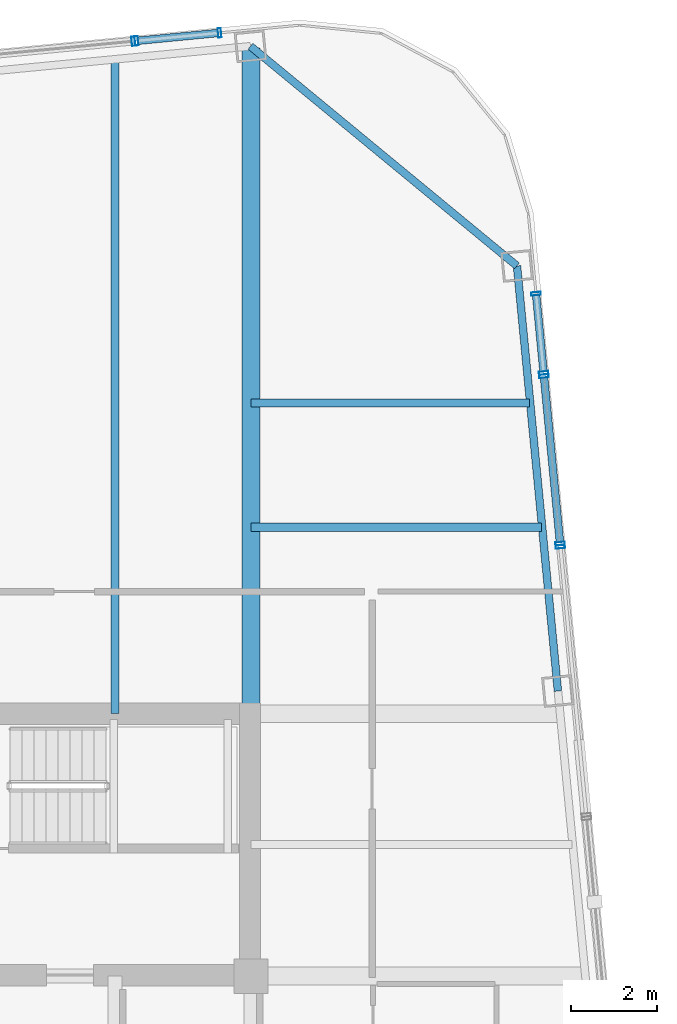
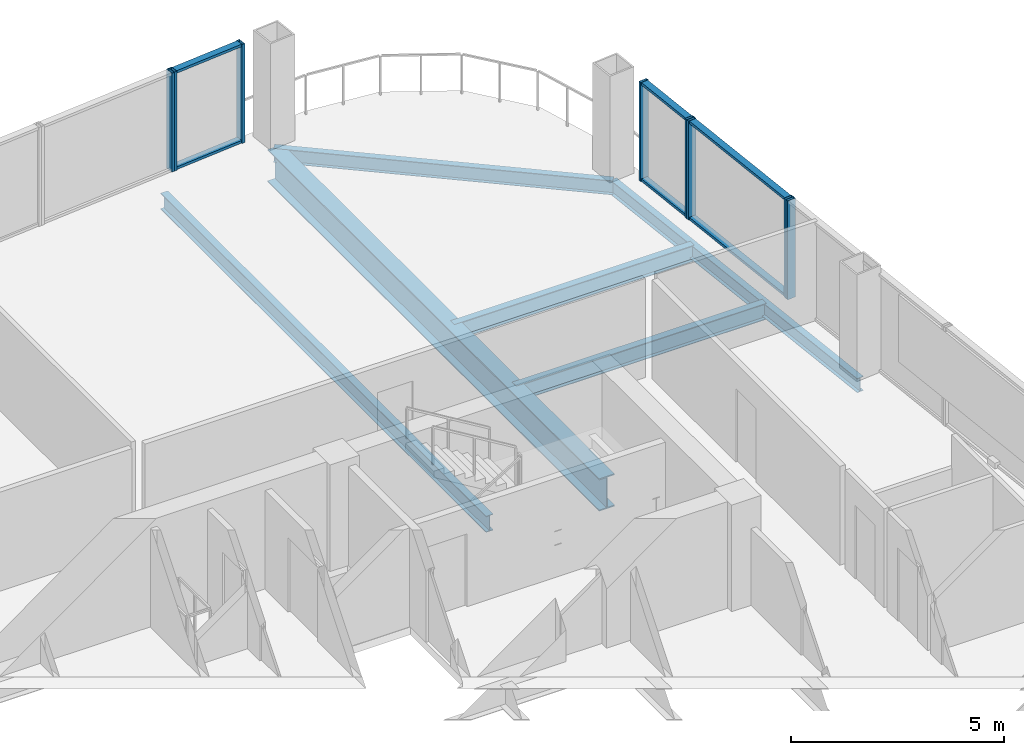
# One storey, part 15 of 21: 14 members, 6 beams, 5 elements without a shape of their own.
"""IFC4 building model written with IfcOpenShell, lengths in metres."""

from ifc_helpers import new_model, si_unit, direction, frame, origin, origin_2d, place, context, subcontext, project, spatial, hollow_rectangle, i_section, extrude, material, layer, layer_set, material_profile, profile_set, type_object, element, aggregate, save


model = new_model("IFC4")

# Units and contexts
model_context = context("Model", 3, precision=1e-05, world=origin(), true_north=direction((0.0, 1.0)))
body_context = subcontext(model_context, "Body", "Model", "MODEL_VIEW")
ifc_project = project(units=[si_unit("LENGTHUNIT", "METRE"), si_unit("AREAUNIT", "SQUARE_METRE"), si_unit("VOLUMEUNIT", "CUBIC_METRE"), si_unit("PLANEANGLEUNIT", "RADIAN"), si_unit("MASSUNIT", "GRAM", prefix="KILO")], contexts=[model_context])

# Site, building, storey
site_placement = place(None, origin())
site = spatial("IfcSite", under=ifc_project, at=site_placement, CompositionType="ELEMENT")
building_placement = place(site_placement, origin())
building = spatial("IfcBuilding", under=site, at=building_placement, Name="Qhalaya Broadcast Tower", CompositionType="ELEMENT")
storey_placement = place(building_placement, frame((0.0, 0.0, 162.25)))
storey = spatial("IfcBuildingStorey", under=building, at=storey_placement, Name="L47", CompositionType="ELEMENT", Elevation=162.25)

# Beams
ifc_material_1 = material(Name="Structural Steel ASTM A992 Grade 50", Category="steel")
ifc_material_profile_1 = material_profile(ifc_material_1, i_section(OverallWidth=0.19189453125, OverallDepth=0.462890625, WebThickness=0.010498046875, FlangeThickness=0.017578125, at=origin_2d()), Name="W18X60")
ifc_profile_set_1 = profile_set([ifc_material_profile_1], Name="Structural Steel ASTM A992 Grade 50")
beam_type_1 = type_object("IfcBeamType", Name="Composite Floor Joist J03", PredefinedType="JOIST", material=ifc_profile_set_1)
beam_1_placement = place(storey_placement, frame((6.199951171875, 9.949951171875, -0.451416015625), z_axis=(0.0, 1.0, 0.0), x_axis=(-1.0, 0.0, 0.0)))
element("IfcBeam", 1, at=beam_1_placement, inside=storey, type_object=beam_type_1, Name="L47 J03 L47-JNN5-1", PredefinedType="JOIST", context=body_context, shape_type="SweptSolid", body=[
    extrude(i_section(OverallWidth=0.19189453125, OverallDepth=0.462890625, WebThickness=0.010498046875, FlangeThickness=0.017578125, at=origin_2d()), origin(), (0.0, 0.0, 1.0), 15.25341796875),
])
beam_2_placement = place(storey_placement, frame((9.375, 14.300048828125, -0.451416015625), z_axis=(1.0, 0.0, 0.0), x_axis=(0.0, 1.0, 0.0)))
element("IfcBeam", 2, at=beam_2_placement, inside=storey, type_object=beam_type_1, Name="L47 J03 L47-JWE6E-1", PredefinedType="JOIST", context=body_context, shape_type="SweptSolid", body=[
    extrude(i_section(OverallWidth=0.19189453125, OverallDepth=0.462890625, WebThickness=0.010498046875, FlangeThickness=0.017578125, at=origin_2d()), origin(), (0.0, 0.0, 1.0), 6.7744140625),
])
beam_3_placement = place(storey_placement, frame((9.375, 17.199951171875, -0.451416015625), z_axis=(1.0, 0.0, 0.0), x_axis=(0.0, 1.0, 0.0)))
element("IfcBeam", 3, at=beam_3_placement, inside=storey, type_object=beam_type_1, Name="L47 J03 L47-JWE7E-1", PredefinedType="JOIST", context=body_context, shape_type="SweptSolid", body=[
    extrude(i_section(OverallWidth=0.19189453125, OverallDepth=0.462890625, WebThickness=0.010498046875, FlangeThickness=0.017578125, at=origin_2d()), origin(), (0.0, 0.0, 1.0), 6.4951171875),
])
ifc_material_profile_2 = material_profile(ifc_material_1, i_section(OverallWidth=0.4189453125, OverallDepth=0.927001953125, WebThickness=0.019287109375, FlangeThickness=0.031982421875, at=origin_2d()), Name="W36X231")
ifc_profile_set_2 = profile_set([ifc_material_profile_2], Name="Structural Steel ASTM A992 Grade 50")
beam_type_2 = type_object("IfcBeamType", Name="Mid Block Primary Girder PG3", PredefinedType="USERDEFINED", material=ifc_profile_set_2)
beam_4_placement = place(storey_placement, frame((9.375, 9.949951171875, -0.68359375), z_axis=(0.0, 1.0, 0.0), x_axis=(-1.0, 0.0, 0.0)))
element("IfcBeam", 4, at=beam_4_placement, inside=storey, type_object=beam_type_2, Name="L47 PG3 L47-PGXN2-1", ObjectType="GIRDER", PredefinedType="USERDEFINED", context=body_context, shape_type="SweptSolid", body=[
    extrude(i_section(OverallWidth=0.4189453125, OverallDepth=0.927001953125, WebThickness=0.019287109375, FlangeThickness=0.031982421875, at=origin_2d()), origin(), (0.0, 0.0, 1.0), 15.541259765625),
])

# Curtain wall, member
ifc_material_2 = material(Name="Fired Architectural Terracotta", Category="masonry")
ifc_layer_1 = layer(ifc_material_2, 0.219970703125, Name="Fired Architectural Terracotta")
ifc_layer_set_1 = layer_set([ifc_layer_1], Name="Fired Architectural Terracotta")
curtain_wall_type_1 = type_object("IfcCurtainWallType", Name="Block-Cap Unitised Terracotta Spandrel Wall CW-07", PredefinedType="NOTDEFINED", material=ifc_layer_set_1)
curtain_wall_1_placement = place(storey_placement, origin())
curtain_wall_1 = element("IfcCurtainWall", 5, at=curtain_wall_1_placement, inside=storey, type_object=curtain_wall_type_1, Name="L47 Unitised Curtain Wall L47-CW-E5", PredefinedType="NOTDEFINED")
ifc_material_3 = material(Name="Anodised Aluminium 6063-T6", Category="aluminium")
ifc_material_profile_3 = material_profile(ifc_material_3, hollow_rectangle(XDim=0.074951171875, YDim=0.219970703125, WallThickness=0.00390625, at=origin_2d()), Name="ALU-MUL 75x220x4")
ifc_profile_set_3 = profile_set([ifc_material_profile_3], Name="Anodised Aluminium 6063-T6")
member_type_1 = type_object("IfcMemberType", Name="Unitised Curtain-Wall Mullion M01", PredefinedType="MULLION", material=ifc_profile_set_3)
member_1_placement = place(storey_placement, frame((16.594970703125, 13.845703125, 0.0), z_axis=(0.0, 0.0, 1.0), x_axis=(-0.095853708125, 0.995395432297, 0.0)))
member_1 = element("IfcMember", 6, at=member_1_placement, type_object=member_type_1, Name="CW-07 mullion 2", PredefinedType="MULLION", context=body_context, shape_type="SweptSolid", body=[
    extrude(hollow_rectangle(XDim=0.074951171875, YDim=0.219970703125, WallThickness=0.00390625, at=origin_2d()), origin(), (0.0, 0.0, 1.0), 2.830078125),
])
aggregate(curtain_wall_1, [member_1])

# Curtain wall, members
ifc_material_4 = material(Name="Solar-Control Low-E Triple Glazing", Category="glass")
ifc_layer_2 = layer(ifc_material_4, 0.219970703125, Name="Solar-Control Low-E Triple Glazing")
ifc_layer_set_2 = layer_set([ifc_layer_2], Name="Solar-Control Low-E Triple Glazing")
curtain_wall_type_2 = type_object("IfcCurtainWallType", Name="Even-Block 4-Storey Double-Module Curtain Wall CW-03", PredefinedType="NOTDEFINED", material=ifc_layer_set_2)
curtain_wall_2_placement = place(storey_placement, origin())
curtain_wall_2 = element("IfcCurtainWall", 7, at=curtain_wall_2_placement, inside=storey, type_object=curtain_wall_type_2, Name="L47 Unitised Curtain Wall L47-CW-E6", PredefinedType="NOTDEFINED")
member_2_placement = place(storey_placement, frame((16.587646484375, 13.92041015625, 0.0), z_axis=(0.0, 0.0, 1.0), x_axis=(-0.095825752198, 0.995398123976, 0.0)))
member_2 = element("IfcMember", 8, at=member_2_placement, type_object=member_type_1, Name="CW-03 mullion 1", PredefinedType="MULLION", context=body_context, shape_type="SweptSolid", body=[
    extrude(hollow_rectangle(XDim=0.074951171875, YDim=0.219970703125, WallThickness=0.00390625, at=origin_2d()), origin(), (0.0, 0.0, 1.0), 2.830078125),
])
member_3_placement = place(storey_placement, frame((16.21142578125, 17.828369140625, 0.0), z_axis=(0.0, 0.0, 1.0), x_axis=(-0.095825752198, 0.995398123976, 0.0)))
member_3 = element("IfcMember", 9, at=member_3_placement, type_object=member_type_1, Name="CW-03 mullion 2", PredefinedType="MULLION", context=body_context, shape_type="SweptSolid", body=[
    extrude(hollow_rectangle(XDim=0.074951171875, YDim=0.219970703125, WallThickness=0.00390625, at=origin_2d()), origin(), (0.0, 0.0, 1.0), 2.830078125),
])

curtain_wall_3_placement = place(storey_placement, origin())
curtain_wall_3 = element("IfcCurtainWall", 10, at=curtain_wall_3_placement, inside=storey, type_object=curtain_wall_type_1, Name="L47 Unitised Curtain Wall L47-CW-E7", PredefinedType="NOTDEFINED")
member_4_placement = place(storey_placement, frame((16.204345703125, 17.903076171875, 0.0), z_axis=(0.0, 0.0, 1.0), x_axis=(-0.095861254071, 0.995394705616, 0.0)))
member_4 = element("IfcMember", 11, at=member_4_placement, type_object=member_type_1, Name="CW-07 mullion 1", PredefinedType="MULLION", context=body_context, shape_type="SweptSolid", body=[
    extrude(hollow_rectangle(XDim=0.074951171875, YDim=0.219970703125, WallThickness=0.00390625, at=origin_2d()), origin(), (0.0, 0.0, 1.0), 2.830078125),
])
member_5_placement = place(storey_placement, frame((16.026123046875, 19.75244140625, 0.0), z_axis=(0.0, 0.0, 1.0), x_axis=(-0.095861254071, 0.995394705616, 0.0)))
member_5 = element("IfcMember", 12, at=member_5_placement, type_object=member_type_1, Name="CW-07 mullion 2", PredefinedType="MULLION", context=body_context, shape_type="SweptSolid", body=[
    extrude(hollow_rectangle(XDim=0.074951171875, YDim=0.219970703125, WallThickness=0.00390625, at=origin_2d()), origin(), (0.0, 0.0, 1.0), 2.830078125),
])

curtain_wall_4_placement = place(storey_placement, origin())
curtain_wall_4 = element("IfcCurtainWall", 13, at=curtain_wall_4_placement, inside=storey, type_object=curtain_wall_type_1, Name="L47 Unitised Curtain Wall L47-CW-N1", PredefinedType="NOTDEFINED")
member_6_placement = place(storey_placement, frame((8.64111328125, 25.840087890625, 0.0), z_axis=(0.0, 0.0, 1.0), x_axis=(-0.995396068977, -0.095847096282, 0.0)))
member_6 = element("IfcMember", 14, at=member_6_placement, type_object=member_type_1, Name="CW-07 mullion 1", PredefinedType="MULLION", context=body_context, shape_type="SweptSolid", body=[
    extrude(hollow_rectangle(XDim=0.074951171875, YDim=0.219970703125, WallThickness=0.00390625, at=origin_2d()), origin(), (0.0, 0.0, 1.0), 2.830078125),
])
member_7_placement = place(storey_placement, frame((6.7021484375, 25.653564453125, 0.0), z_axis=(0.0, 0.0, 1.0), x_axis=(-0.995396068977, -0.095847096282, 0.0)))
member_7 = element("IfcMember", 15, at=member_7_placement, type_object=member_type_1, Name="CW-07 mullion 2", PredefinedType="MULLION", context=body_context, shape_type="SweptSolid", body=[
    extrude(hollow_rectangle(XDim=0.074951171875, YDim=0.219970703125, WallThickness=0.00390625, at=origin_2d()), origin(), (0.0, 0.0, 1.0), 2.830078125),
])

# Curtain wall, member
curtain_wall_5_placement = place(storey_placement, origin())
curtain_wall_5 = element("IfcCurtainWall", 16, at=curtain_wall_5_placement, inside=storey, type_object=curtain_wall_type_2, Name="L47 Unitised Curtain Wall L47-CW-N2", PredefinedType="NOTDEFINED")
member_8_placement = place(storey_placement, frame((6.62744140625, 25.646240234375, 0.0), z_axis=(0.0, 0.0, 1.0), x_axis=(-0.995396841683, -0.095839071198, 0.0)))
member_8 = element("IfcMember", 17, at=member_8_placement, type_object=member_type_1, Name="CW-03 mullion 1", PredefinedType="MULLION", context=body_context, shape_type="SweptSolid", body=[
    extrude(hollow_rectangle(XDim=0.074951171875, YDim=0.219970703125, WallThickness=0.00390625, at=origin_2d()), origin(), (0.0, 0.0, 1.0), 2.830078125),
])
aggregate(curtain_wall_5, [member_8])

# Member
ifc_material_profile_4 = material_profile(ifc_material_3, hollow_rectangle(XDim=0.074951171875, YDim=0.179931640625, WallThickness=0.00390625, at=origin_2d()), Name="ALU-TRN 75x180x4")
ifc_profile_set_4 = profile_set([ifc_material_profile_4], Name="Anodised Aluminium 6063-T6")
member_type_2 = type_object("IfcMemberType", Name="Unitised Curtain-Wall Transom T01", PredefinedType="USERDEFINED", material=ifc_profile_set_4)
member_9_placement = place(storey_placement, frame((16.584228515625, 13.957763671875, 0.03759765625), z_axis=(-0.09585615801, 0.995395196378, 0.0), x_axis=(0.0, 0.0, 1.0)))
member_9 = element("IfcMember", 18, at=member_9_placement, type_object=member_type_2, Name="CW-03 transom 1.1", ObjectType="TRANSOM", PredefinedType="USERDEFINED", context=body_context, shape_type="SweptSolid", body=[
    extrude(hollow_rectangle(XDim=0.074951171875, YDim=0.179931640625, WallThickness=0.00390625, at=origin_2d()), origin(), (0.0, 0.0, 1.0), 3.85107421875),
])

member_10_placement = place(storey_placement, frame((16.584228515625, 13.957763671875, 2.79248046875), z_axis=(-0.09585615801, 0.995395196378, 0.0), x_axis=(0.0, 0.0, 1.0)))
member_10 = element("IfcMember", 19, at=member_10_placement, type_object=member_type_2, Name="CW-03 transom 1.2", ObjectType="TRANSOM", PredefinedType="USERDEFINED", context=body_context, shape_type="SweptSolid", body=[
    extrude(hollow_rectangle(XDim=0.074951171875, YDim=0.179931640625, WallThickness=0.00390625, at=origin_2d()), origin(), (0.0, 0.0, 1.0), 3.85107421875),
])

aggregate(curtain_wall_2, [member_2, member_3, member_9, member_10])

member_11_placement = place(storey_placement, frame((16.20068359375, 17.9404296875, 0.03759765625), z_axis=(-0.095855916051, 0.995395219678, 0.0), x_axis=(0.0, 0.0, 1.0)))
member_11 = element("IfcMember", 20, at=member_11_placement, type_object=member_type_2, Name="CW-07 transom 1.1", ObjectType="TRANSOM", PredefinedType="USERDEFINED", context=body_context, shape_type="SweptSolid", body=[
    extrude(hollow_rectangle(XDim=0.074951171875, YDim=0.179931640625, WallThickness=0.00390625, at=origin_2d()), origin(), (0.0, 0.0, 1.0), 1.782958984375),
])

member_12_placement = place(storey_placement, frame((16.20068359375, 17.9404296875, 2.79248046875), z_axis=(-0.095855916051, 0.995395219678, 0.0), x_axis=(0.0, 0.0, 1.0)))
member_12 = element("IfcMember", 21, at=member_12_placement, type_object=member_type_2, Name="CW-07 transom 1.2", ObjectType="TRANSOM", PredefinedType="USERDEFINED", context=body_context, shape_type="SweptSolid", body=[
    extrude(hollow_rectangle(XDim=0.074951171875, YDim=0.179931640625, WallThickness=0.00390625, at=origin_2d()), origin(), (0.0, 0.0, 1.0), 1.782958984375),
])

aggregate(curtain_wall_3, [member_4, member_5, member_11, member_12])

member_13_placement = place(storey_placement, frame((8.603759765625, 25.836669921875, 0.03759765625), z_axis=(-0.995387030326, -0.095940918586, 0.0), x_axis=(0.0, 0.0, 1.0)))
member_13 = element("IfcMember", 22, at=member_13_placement, type_object=member_type_2, Name="CW-07 transom 1.1", ObjectType="TRANSOM", PredefinedType="USERDEFINED", context=body_context, shape_type="SweptSolid", body=[
    extrude(hollow_rectangle(XDim=0.074951171875, YDim=0.179931640625, WallThickness=0.00390625, at=origin_2d()), origin(), (0.0, 0.0, 1.0), 1.872802734375),
])

member_14_placement = place(storey_placement, frame((8.603759765625, 25.836669921875, 2.79248046875), z_axis=(-0.995387030326, -0.095940918586, 0.0), x_axis=(0.0, 0.0, 1.0)))
member_14 = element("IfcMember", 23, at=member_14_placement, type_object=member_type_2, Name="CW-07 transom 1.2", ObjectType="TRANSOM", PredefinedType="USERDEFINED", context=body_context, shape_type="SweptSolid", body=[
    extrude(hollow_rectangle(XDim=0.074951171875, YDim=0.179931640625, WallThickness=0.00390625, at=origin_2d()), origin(), (0.0, 0.0, 1.0), 1.872802734375),
])

aggregate(curtain_wall_4, [member_6, member_7, member_13, member_14])

# Beams
ifc_material_profile_5 = material_profile(ifc_material_1, i_section(OverallWidth=0.177978515625, OverallDepth=0.406005859375, WebThickness=0.0078125, FlangeThickness=0.0126953125, at=origin_2d()), Name="W16X40")
ifc_profile_set_5 = profile_set([ifc_material_profile_5], Name="Structural Steel ASTM A992 Grade 50")
beam_type_3 = type_object("IfcBeamType", Name="Upper Perimeter Spandrel Beam SP2", PredefinedType="SPANDREL", material=ifc_profile_set_5)
beam_5_placement = place(storey_placement, frame((16.537353515625, 10.4794921875, -0.423095703125), z_axis=(-0.095850563819, 0.99539573508, 0.0), x_axis=(-0.99539573508, -0.095850563819, 0.0)))
element("IfcBeam", 24, at=beam_5_placement, inside=storey, type_object=beam_type_3, Name="L47 SP2 L47-SPR-07", PredefinedType="SPANDREL", context=body_context, shape_type="SweptSolid", body=[
    extrude(i_section(OverallWidth=0.177978515625, OverallDepth=0.406005859375, WebThickness=0.0078125, FlangeThickness=0.0126953125, at=origin_2d()), origin(), (0.0, 0.0, 1.0), 9.966796875),
])
beam_6_placement = place(storey_placement, frame((15.58203125, 20.400390625, -0.423095703125), z_axis=(-0.771618906354, 0.636085107008, 0.0), x_axis=(-0.636085107008, -0.771618906354, 0.0)))
element("IfcBeam", 25, at=beam_6_placement, inside=storey, type_object=beam_type_3, Name="L47 SP2 L47-SPR-08", PredefinedType="SPANDREL", context=body_context, shape_type="SweptSolid", body=[
    extrude(i_section(OverallWidth=0.177978515625, OverallDepth=0.406005859375, WebThickness=0.0078125, FlangeThickness=0.0126953125, at=origin_2d()), origin(), (0.0, 0.0, 1.0), 8.06103515625),
])

save(model, "model.ifc")
